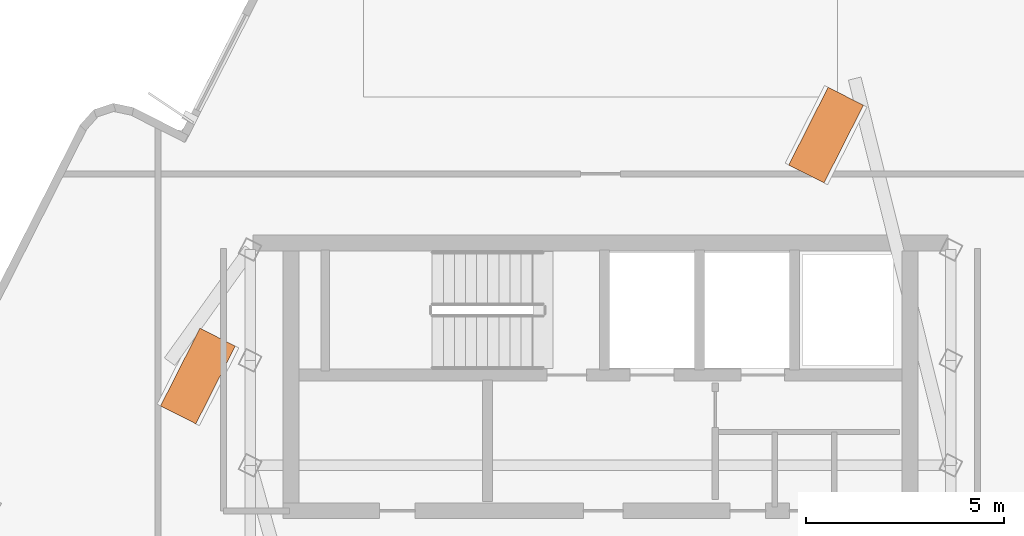
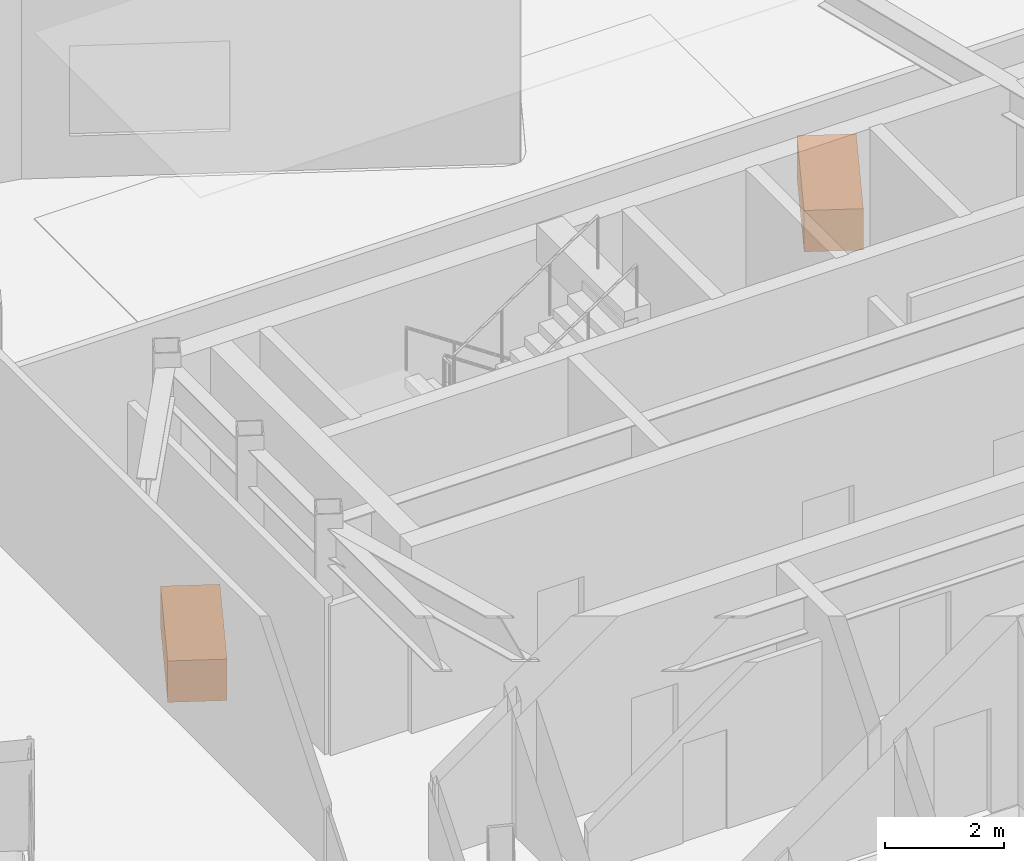
# One storey, part 8 of 8: 2 proxies.
"""IFC4 building model written with IfcOpenShell, lengths in metres."""

from ifc_helpers import new_model, si_unit, direction, frame, origin, origin_2d, place, context, subcontext, project, spatial, rectangle, extrude, material, type_object, element, save


model = new_model("IFC4")

# Units and contexts
model_context = context("Model", 3, precision=1e-05, world=origin(), true_north=direction((0.0, 1.0)))
body_context = subcontext(model_context, "Body", "Model", "MODEL_VIEW")
ifc_project = project(units=[si_unit("LENGTHUNIT", "METRE"), si_unit("AREAUNIT", "SQUARE_METRE"), si_unit("VOLUMEUNIT", "CUBIC_METRE"), si_unit("PLANEANGLEUNIT", "RADIAN"), si_unit("MASSUNIT", "GRAM", prefix="KILO")], contexts=[model_context])

# Site, building, storey
site_placement = place(None, origin())
site = spatial("IfcSite", under=ifc_project, at=site_placement, CompositionType="ELEMENT")
building_placement = place(site_placement, origin())
building = spatial("IfcBuilding", under=site, at=building_placement, Name="Solmarez Civic Tower", CompositionType="ELEMENT")
storey_placement = place(building_placement, frame((0.0, 0.0, 289.260009765625)))
storey = spatial("IfcBuildingStorey", under=building, at=storey_placement, Name="L78 Crown", CompositionType="ELEMENT", Elevation=289.260009765625)

# Proxies
ifc_material = material(Name="Precast concrete C40/50", Category="concrete")
building_element_proxy_type = type_object("IfcBuildingElementProxyType", Name="PROXY-PLANTER-RC", PredefinedType="USERDEFINED", material=ifc_material)
for number, where, z_axis, x_axis, name in (
    (1, (5.697021484375, 11.239013671875, 0.0), (0.0, 0.0, 1.0), (0.452123385691, 0.891955404777, 0.0), "L78 Crown Conservatory Structural Planter 1"),
    (2, (-10.16796875, 5.154052734375, 0.0), (0.0, 0.0, 1.0), (0.452123385691, 0.891955404777, 0.0), "L78 Crown Conservatory Structural Planter 2"),
):
    element("IfcBuildingElementProxy", number, at=place(storey_placement, frame(where, z_axis=z_axis, x_axis=x_axis)), inside=storey, type_object=building_element_proxy_type, Name=name, ObjectType="PLANTER", PredefinedType="USERDEFINED", context=body_context, shape_type="SweptSolid", body=[
        extrude(rectangle(XDim=2.199951171875, YDim=1.0, at=origin_2d()), origin(), (0.0, 0.0, 1.0), 0.85009765625),
    ])

save(model, "model.ifc")
